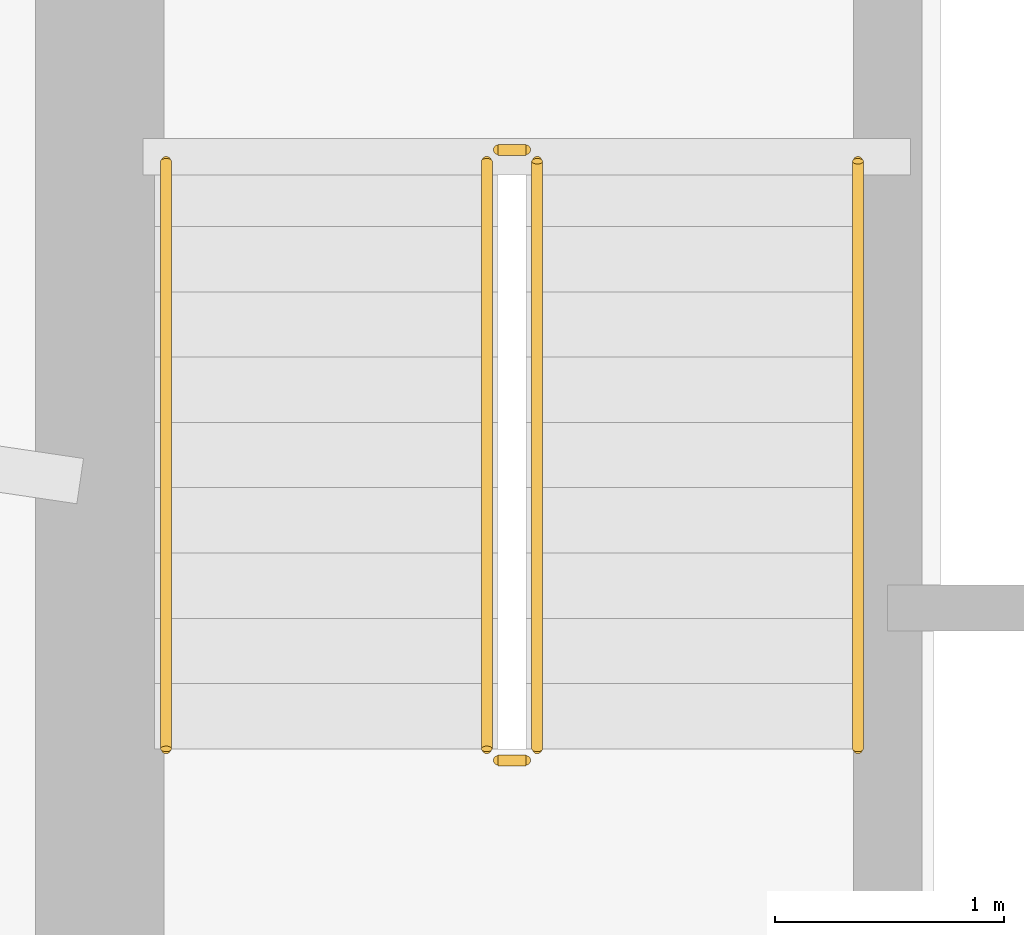
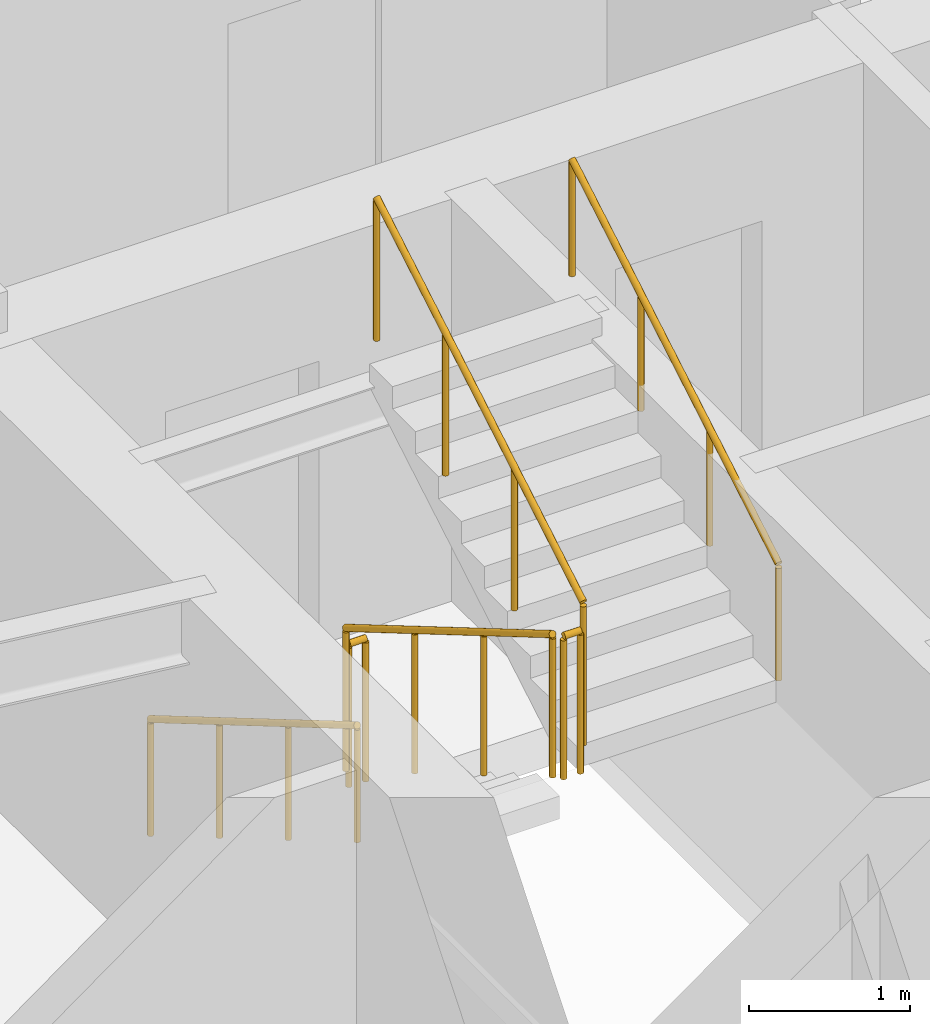
# One storey, part 17 of 18: 6 railings.
"""IFC4 building model written with IfcOpenShell, lengths in metres."""

import ifcopenshell
import ifcopenshell.guid

model = None  # the IFC model being written
_history = None  # IfcOwnerHistory: only IFC2X3 demands one
_inside = {}  # id of a spatial element -> (the spatial element, [elements in it])
_under = {}  # id of a project, library or spatial element -> (it, [spatial elements below it])
_declared = {}  # id of a project -> (the project, [libraries it declares])
_typed = {}  # id of a type object -> (the type object, [elements of that type])
_made_of = {}  # id of a material, layer set ... -> (it, [elements and type objects made of it])


def new_model(schema):
    """Start an empty IFC model of exactly this schema.

    Asked for "IFC4X3", IfcOpenShell would pick the latest addendum, in which some entities
    have other attributes; the version numbers below select the first issue.
    IFC2X3 requires an IfcOwnerHistory on every rooted entity: one is made here for all.
    """
    global model, _history
    if schema == "IFC4X3":
        model = ifcopenshell.file(schema_version=(4, 3, 0, 0))
    else:
        model = ifcopenshell.file(schema=schema)
    _inside.clear()
    _under.clear()
    _declared.clear()
    _typed.clear()
    _made_of.clear()
    _history = None
    if model.schema == "IFC2X3":
        org = make("IfcOrganization", Name="unknown")
        user = make(
            "IfcPersonAndOrganization",
            ThePerson=make("IfcPerson", FamilyName="unknown"),
            TheOrganization=org,
        )
        app = make(
            "IfcApplication",
            ApplicationDeveloper=org,
            Version="unknown",
            ApplicationFullName="unknown",
            ApplicationIdentifier="unknown",
        )
        _history = make(
            "IfcOwnerHistory",
            OwningUser=user,
            OwningApplication=app,
            ChangeAction="ADDED",
            CreationDate=0,
        )
    return model


def make(cls, **values):
    """One entity of the class cls with the attributes given. An attribute that is None is left unset."""
    return model.create_entity(
        cls, **{name: value for name, value in values.items() if value is not None}
    )


def rooted(cls, **values):
    """An entity with a GlobalId (a new one), such as an element, a storey or a relation."""
    return make(cls, GlobalId=ifcopenshell.guid.new(), OwnerHistory=_history, **values)


def si_unit(unit_type, name, prefix=None):
    """IfcSIUnit, for example si_unit("LENGTHUNIT", "METRE", prefix="MILLI")."""
    return make("IfcSIUnit", UnitType=unit_type, Prefix=prefix, Name=name)


def assignment(units):
    """IfcUnitAssignment: the units of a project."""
    return None if units is None else make("IfcUnitAssignment", Units=units)


def point(xyz):
    """IfcCartesianPoint."""
    return None if xyz is None else make("IfcCartesianPoint", Coordinates=xyz)


def direction(xyz):
    """IfcDirection."""
    return None if xyz is None else make("IfcDirection", DirectionRatios=xyz)


def frame(location, z_axis=None, x_axis=None):
    """IfcAxis2Placement3D, a coordinate frame: its origin and axes. An axis left out is left unset."""
    return make(
        "IfcAxis2Placement3D",
        Location=point(location),
        Axis=direction(z_axis),
        RefDirection=direction(x_axis),
    )


def frame_2d(location, x_axis=None):
    """IfcAxis2Placement2D, a coordinate frame in the plane: its origin and x axis."""
    return make(
        "IfcAxis2Placement2D", Location=point(location), RefDirection=direction(x_axis)
    )


def origin():
    """The frame at (0, 0, 0) with its axes left unset."""
    return frame((0.0, 0.0, 0.0))


def origin_2d():
    """The frame at (0, 0) in the plane with its x axis left unset."""
    return frame_2d((0.0, 0.0))


def place(relative_to, where):
    """IfcLocalPlacement: puts the frame where relative to a parent placement (None: the world)."""
    return make(
        "IfcLocalPlacement", PlacementRelTo=relative_to, RelativePlacement=where
    )


def context(
    kind, dimensions, precision=None, world=None, true_north=None, identifier=None
):
    """IfcGeometricRepresentationContext, for example the 3D "Model" context."""
    return make(
        "IfcGeometricRepresentationContext",
        ContextIdentifier=identifier,
        ContextType=kind,
        CoordinateSpaceDimension=dimensions,
        Precision=precision,
        WorldCoordinateSystem=world,
        TrueNorth=true_north,
    )


def subcontext(parent, identifier, kind, view, scale=None):
    """IfcGeometricRepresentationSubContext, for example "Body" below "Model"."""
    return make(
        "IfcGeometricRepresentationSubContext",
        ContextIdentifier=identifier,
        ContextType=kind,
        ParentContext=parent,
        TargetScale=scale,
        TargetView=view,
    )


def project(units=None, contexts=None):
    """IfcProject with its units and contexts."""
    return rooted(
        "IfcProject",
        Name="project",
        RepresentationContexts=contexts,
        UnitsInContext=assignment(units),
    )


def spatial(cls, under=None, at=None, **own):
    """A site, building, storey or space (cls), placed at a placement, below another one or the project."""
    s = rooted(cls, ObjectPlacement=at, **own)
    if under is not None:
        _under.setdefault(under.id(), (under, []))[1].append(s)
    return s


def profile(cls, at=None, kind="AREA", **sizes):
    """A parametric profile (cls). Its sizes go by their IFC names, for example OverallWidth=200.0."""
    return make(cls, ProfileType=kind, Position=at, **sizes)


def circle(**sizes):
    """IfcCircleProfileDef."""
    return profile("IfcCircleProfileDef", **sizes)


def extrude(swept, where, along, depth):
    """IfcExtrudedAreaSolid: the profile swept, set in the frame where, extruded along a direction by depth."""
    return make(
        "IfcExtrudedAreaSolid",
        SweptArea=swept,
        Position=where,
        ExtrudedDirection=direction(along),
        Depth=depth,
    )


def shape(context_of_items, identifier, shape_type, items):
    """IfcShapeRepresentation: the items that make up one representation, for example the "Body"."""
    return make(
        "IfcShapeRepresentation",
        ContextOfItems=context_of_items,
        RepresentationIdentifier=identifier,
        RepresentationType=shape_type,
        Items=items,
    )


def material(Name=None, Category=None):
    """IfcMaterial."""
    return make("IfcMaterial", Name=Name, Category=Category)


def made_of(thing, what):
    """Note that an element or type object is made of a material, layer set ...; save() writes the relation."""
    if what is not None:
        _made_of.setdefault(what.id(), (what, []))[1].append(thing)
    return thing


def type_object(cls, material=None, **own):
    """A type object (cls), such as IfcWallType, which elements share."""
    return made_of(rooted(cls, **own), material)


def element(
    cls,
    number,
    at=None,
    inside=None,
    cuts=None,
    type_object=None,
    material=None,
    context=None,
    identifier="Body",
    shape_type=None,
    held_by="IfcProductDefinitionShape",
    body=None,
    shapes=None,
    **own,
):
    """One element of the class cls, such as IfcWall. Its Tag is "e" and its number.

    at: its placement. inside: the storey or other place that contains it. cuts: it is an
    opening in that element (IfcRelVoidsElement). A single representation is given by context,
    identifier, shape_type and body (its items); several are given by shapes. held_by: the class
    of the entity that holds the representations. save() writes the other relations.
    """
    e = rooted(cls, Tag="e%d" % number, ObjectPlacement=at, **own)
    if body is not None:
        shapes = [shape(context, identifier, shape_type, body)]
    if shapes is not None:
        e.Representation = make(held_by, Representations=shapes)
    if inside is not None:
        _inside.setdefault(inside.id(), (inside, []))[1].append(e)
    if cuts is not None:
        rooted(
            "IfcRelVoidsElement", RelatingBuildingElement=cuts, RelatedOpeningElement=e
        )
    if type_object is not None:
        _typed.setdefault(type_object.id(), (type_object, []))[1].append(e)
    return made_of(e, material)


def aggregate(whole, parts):
    """IfcRelAggregates: a whole, such as a stair, and the parts it consists of."""
    return rooted("IfcRelAggregates", RelatingObject=whole, RelatedObjects=parts)


def save(model, path):
    """Write the relations noted so far, then the file.

    IfcRelAggregates (storeys below a building ...), IfcRelContainedInSpatialStructure (elements
    in a storey), IfcRelDefinesByType, IfcRelAssociatesMaterial and IfcRelDeclares: one each for
    every whole, place, type object, material and project.
    """
    for whole, parts in _under.values():
        aggregate(whole, parts)
    for where, things in _inside.values():
        rooted(
            "IfcRelContainedInSpatialStructure",
            RelatedElements=things,
            RelatingStructure=where,
        )
    for kind, things in _typed.values():
        rooted("IfcRelDefinesByType", RelatedObjects=things, RelatingType=kind)
    for what, things in _made_of.values():
        rooted("IfcRelAssociatesMaterial", RelatedObjects=things, RelatingMaterial=what)
    for by, libraries in _declared.values():
        rooted("IfcRelDeclares", RelatingContext=by, RelatedDefinitions=libraries)
    model.write(path)


model = new_model("IFC4")

# Units and contexts
model_context = context("Model", 3, precision=1e-05, world=origin(), true_north=direction((0.0, 1.0)))
body_context = subcontext(model_context, "Body", "Model", "MODEL_VIEW")
ifc_project = project(units=[si_unit("LENGTHUNIT", "METRE"), si_unit("AREAUNIT", "SQUARE_METRE"), si_unit("VOLUMEUNIT", "CUBIC_METRE"), si_unit("PLANEANGLEUNIT", "RADIAN"), si_unit("MASSUNIT", "GRAM", prefix="KILO")], contexts=[model_context])

# Site, building, storey
site_placement = place(None, origin())
site = spatial("IfcSite", under=ifc_project, at=site_placement, CompositionType="ELEMENT")
building_placement = place(site_placement, origin())
building = spatial("IfcBuilding", under=site, at=building_placement, Name="Qobustan Lattice House", CompositionType="ELEMENT")
storey_placement = place(building_placement, frame((0.0, 0.0, 119.199951171875)))
storey = spatial("IfcBuildingStorey", under=building, at=storey_placement, Name="L33", CompositionType="ELEMENT", Elevation=119.199951171875)

# Railings
ifc_material_1 = material(Name="Brushed stainless steel handrail", Category="steel")
railing_type_1 = type_object("IfcRailingType", Name="RAL-HR-920", PredefinedType="HANDRAIL", material=ifc_material_1)
railing_1_placement = place(storey_placement, frame((-18.199951171875, 3.5, 0.16748046875)))
element("IfcRailing", 1, at=railing_1_placement, inside=storey, type_object=railing_type_1, Name="L33 ST-W1 stair handrail 1", PredefinedType="HANDRAIL", context=body_context, shape_type="SweptSolid", body=[
    extrude(circle(Radius=0.02392578125, at=origin_2d()), frame((0.0, 0.0, 0.8759765625), z_axis=(0.0, -0.862113467892, 0.50671527358), x_axis=(1.0, 0.0, 0.0)), (0.0, 0.0, 1.0), 2.97509765625),
    extrude(circle(Radius=0.02099609375, at=origin_2d()), origin(), (0.0, 0.0, 1.0), 0.851806640625),
    extrude(circle(Radius=0.02099609375, at=origin_2d()), frame((0.0, -0.85498046875, 0.50244140625)), (0.0, 0.0, 1.0), 0.851806640625),
    extrude(circle(Radius=0.02099609375, at=origin_2d()), frame((0.0, -1.7099609375, 1.005126953125)), (0.0, 0.0, 1.0), 0.851806640625),
    extrude(circle(Radius=0.02099609375, at=origin_2d()), frame((0.0, -2.56494140625, 1.507568359375)), (0.0, 0.0, 1.0), 0.851806640625),
])
railing_2_placement = place(storey_placement, frame((-15.179931640625, 0.93505859375, 1.842529296875)))
element("IfcRailing", 2, at=railing_2_placement, inside=storey, type_object=railing_type_1, Name="L33 ST-W1 stair handrail 2", PredefinedType="HANDRAIL", context=body_context, shape_type="SweptSolid", body=[
    extrude(circle(Radius=0.02392578125, at=origin_2d()), frame((0.0, 0.0, 0.8759765625), z_axis=(0.0, 0.862113467892, 0.50671527358), x_axis=(-1.0, 0.0, 0.0)), (0.0, 0.0, 1.0), 2.97509765625),
    extrude(circle(Radius=0.02099609375, at=origin_2d()), origin(), (0.0, 0.0, 1.0), 0.851806640625),
    extrude(circle(Radius=0.02099609375, at=origin_2d()), frame((0.0, 0.85498046875, 0.50244140625)), (0.0, 0.0, 1.0), 0.851806640625),
    extrude(circle(Radius=0.02099609375, at=origin_2d()), frame((0.0, 1.7099609375, 1.005126953125)), (0.0, 0.0, 1.0), 0.851806640625),
    extrude(circle(Radius=0.02099609375, at=origin_2d()), frame((0.0, 2.56494140625, 1.507568359375)), (0.0, 0.0, 1.0), 0.851806640625),
])
ifc_material_2 = material(Name="Painted galvanized steel guardrail", Category="steel")
railing_type_2 = type_object("IfcRailingType", Name="RAL-STG-1150", PredefinedType="GUARDRAIL", material=ifc_material_2)
railing_3_placement = place(storey_placement, frame((-16.800048828125, 3.5, 0.16748046875)))
element("IfcRailing", 3, at=railing_3_placement, inside=storey, type_object=railing_type_2, Name="L33 ST-W1 stair guard 1", PredefinedType="GUARDRAIL", context=body_context, shape_type="SweptSolid", body=[
    extrude(circle(Radius=0.02392578125, at=origin_2d()), frame((0.0, 0.0, 1.076171875), z_axis=(0.0, -0.862113467892, 0.50671527358), x_axis=(1.0, 0.0, 0.0)), (0.0, 0.0, 1.0), 2.97509765625),
    extrude(circle(Radius=0.02099609375, at=origin_2d()), origin(), (0.0, 0.0, 1.0), 1.052001953125),
    extrude(circle(Radius=0.02099609375, at=origin_2d()), frame((0.0, -0.85498046875, 0.50244140625)), (0.0, 0.0, 1.0), 1.052001953125),
    extrude(circle(Radius=0.02099609375, at=origin_2d()), frame((0.0, -1.7099609375, 1.005126953125)), (0.0, 0.0, 1.0), 1.052001953125),
    extrude(circle(Radius=0.02099609375, at=origin_2d()), frame((0.0, -2.56494140625, 1.507568359375)), (0.0, 0.0, 1.0), 1.052001953125),
])
railing_4_placement = place(storey_placement, frame((-16.75, 0.885009765625, 1.675048828125)))
element("IfcRailing", 4, at=railing_4_placement, inside=storey, type_object=railing_type_2, Name="L33 ST-W1 stair guard 2", PredefinedType="GUARDRAIL", context=body_context, shape_type="SweptSolid", body=[
    extrude(circle(Radius=0.02392578125, at=origin_2d()), frame((0.0, 0.0, 1.076171875), z_axis=(1.0, 0.0, 0.0), x_axis=(0.0, 1.0, 0.0)), (0.0, 0.0, 1.0), 0.1201171875),
    extrude(circle(Radius=0.02099609375, at=origin_2d()), origin(), (0.0, 0.0, 1.0), 1.052001953125),
    extrude(circle(Radius=0.02099609375, at=origin_2d()), frame((0.1201171875, 0.0, 0.0)), (0.0, 0.0, 1.0), 1.052001953125),
])
railing_5_placement = place(storey_placement, frame((-16.580078125, 0.93505859375, 1.842529296875)))
element("IfcRailing", 5, at=railing_5_placement, inside=storey, type_object=railing_type_2, Name="L33 ST-W1 stair guard 3", PredefinedType="GUARDRAIL", context=body_context, shape_type="SweptSolid", body=[
    extrude(circle(Radius=0.02392578125, at=origin_2d()), frame((0.0, 0.0, 1.076171875), z_axis=(0.0, 0.862113467892, 0.50671527358), x_axis=(-1.0, 0.0, 0.0)), (0.0, 0.0, 1.0), 2.97509765625),
    extrude(circle(Radius=0.02099609375, at=origin_2d()), origin(), (0.0, 0.0, 1.0), 1.052001953125),
    extrude(circle(Radius=0.02099609375, at=origin_2d()), frame((0.0, 0.85498046875, 0.50244140625)), (0.0, 0.0, 1.0), 1.052001953125),
    extrude(circle(Radius=0.02099609375, at=origin_2d()), frame((0.0, 1.7099609375, 1.005126953125)), (0.0, 0.0, 1.0), 1.052001953125),
    extrude(circle(Radius=0.02099609375, at=origin_2d()), frame((0.0, 2.56494140625, 1.507568359375)), (0.0, 0.0, 1.0), 1.052001953125),
])
railing_6_placement = place(storey_placement, frame((-16.75, 3.550048828125, 0.0)))
element("IfcRailing", 6, at=railing_6_placement, inside=storey, type_object=railing_type_2, Name="L33 ST-W1 stair guard 4", PredefinedType="GUARDRAIL", context=body_context, shape_type="SweptSolid", body=[
    extrude(circle(Radius=0.02392578125, at=origin_2d()), frame((0.0, 0.0, 1.076171875), z_axis=(1.0, 0.0, 0.0), x_axis=(0.0, 1.0, 0.0)), (0.0, 0.0, 1.0), 0.1201171875),
    extrude(circle(Radius=0.02099609375, at=origin_2d()), origin(), (0.0, 0.0, 1.0), 1.052001953125),
    extrude(circle(Radius=0.02099609375, at=origin_2d()), frame((0.1201171875, 0.0, 0.0)), (0.0, 0.0, 1.0), 1.052001953125),
])

save(model, "model.ifc")
